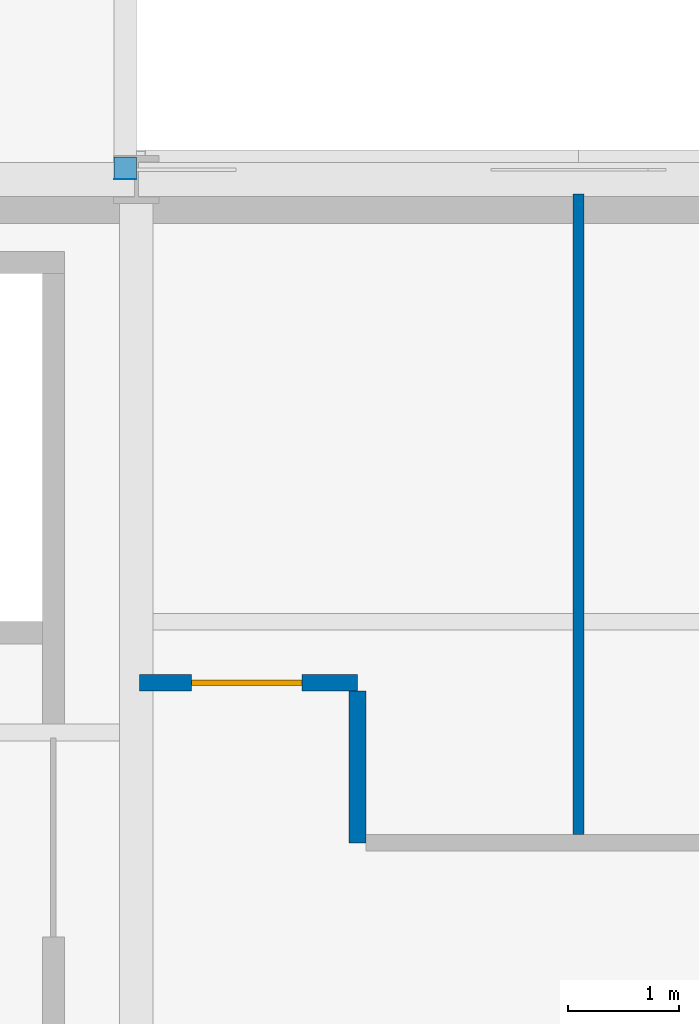
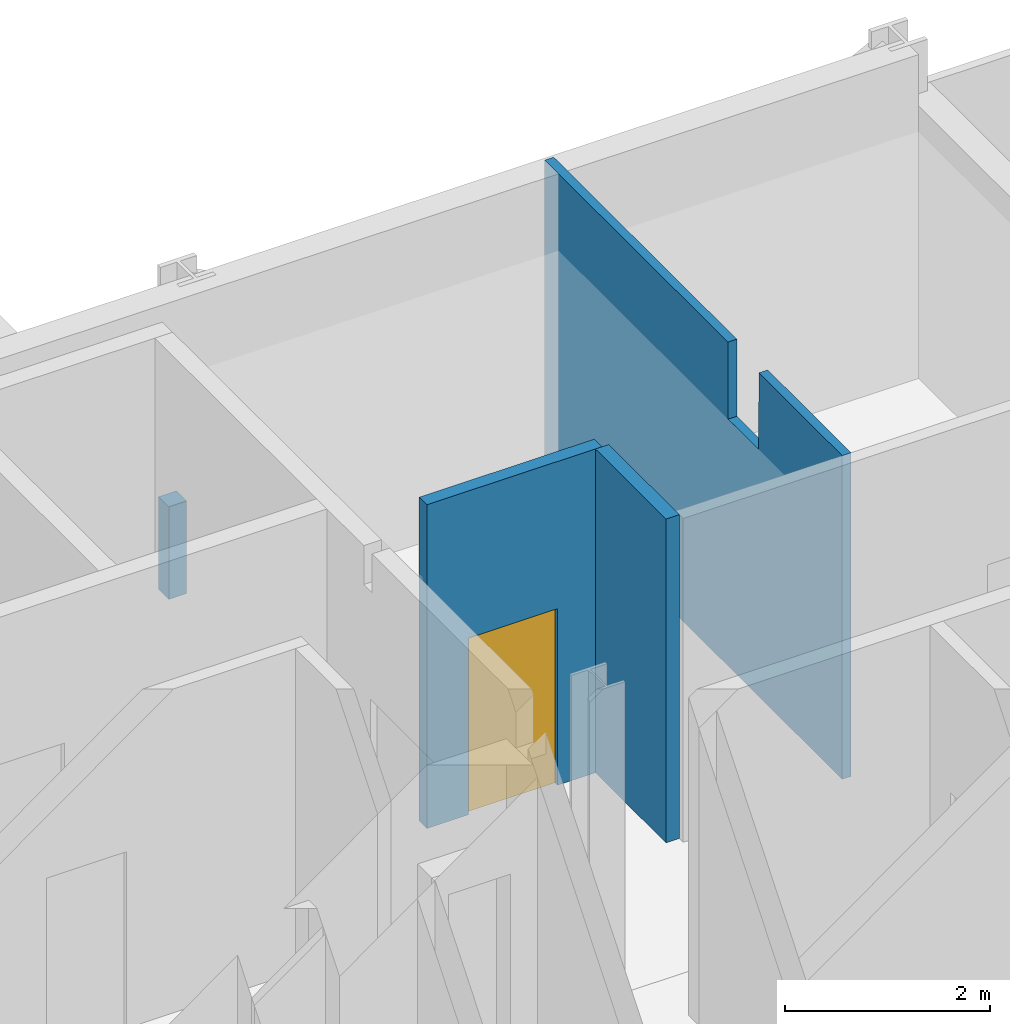
# One storey, part 5 of 9: 5 walls, 1 door, 1 opening.
"""IFC4 building model written with IfcOpenShell, lengths in metres."""

from ifc_helpers import new_model, si_unit, direction, frame, frame_2d, origin, place, context, subcontext, project, spatial, polyline, rectangle, outline, extrude, material, layer, layer_set, type_object, element, fill, save


model = new_model("IFC4")

# Units and contexts
model_context = context("Model", 3, precision=1e-05, world=origin(), true_north=direction((0.0, 1.0)))
body_context = subcontext(model_context, "Body", "Model", "MODEL_VIEW")
ifc_project = project(units=[si_unit("LENGTHUNIT", "METRE"), si_unit("AREAUNIT", "SQUARE_METRE"), si_unit("VOLUMEUNIT", "CUBIC_METRE"), si_unit("PLANEANGLEUNIT", "RADIAN"), si_unit("MASSUNIT", "GRAM", prefix="KILO")], contexts=[model_context])

# Site, building, storey
site_placement = place(None, origin())
site = spatial("IfcSite", under=ifc_project, at=site_placement, CompositionType="ELEMENT")
building_placement = place(site_placement, origin())
building = spatial("IfcBuilding", under=site, at=building_placement, Name="Immortelle Media Tower", CompositionType="ELEMENT")
storey_placement = place(building_placement, frame((0.0, 0.0, 189.0)))
storey = spatial("IfcBuildingStorey", under=building, at=storey_placement, Name="L39", CompositionType="ELEMENT", Elevation=189.0)

# Wall
ifc_material_1 = material(Name="Fire-rated gypsum board", Category="gypsum")
ifc_layer_1 = layer(ifc_material_1, 0.012451171875)
ifc_material_2 = material(Name="Steel ASTM A653 SS Gr 50 stud frame with mineral wool", Category="steel")
ifc_layer_2 = layer(ifc_material_2, 0.125)
ifc_layer_3 = layer(ifc_material_1, 0.012451171875)
ifc_layer_set_1 = layer_set([ifc_layer_1, ifc_layer_2, ifc_layer_3], Name="Steel ASTM A653 SS Gr 50 stud frame with mineral wool")
wall_type_1 = type_object("IfcWallType", Name="Corridor wall 150", PredefinedType="PARTITIONING", material=ifc_layer_set_1)
wall_1_placement = place(storey_placement, frame((26.0, 18.0, 0.0), z_axis=(0.0, 0.0, 1.0), x_axis=(0.0, 1.0, 0.0)))
element("IfcWall", 1, at=wall_1_placement, inside=storey, type_object=wall_type_1, Name="Partition L39-020", PredefinedType="PARTITIONING", context=body_context, shape_type="SweptSolid", body=[
    extrude(rectangle(XDim=1.375, YDim=0.14990234375, at=frame_2d((0.6875, 0.0))), origin(), (0.0, 0.0, 1.0), 3.85009765625),
])

# Wall, opening, door
wall_2_placement = place(storey_placement, frame((24.030029296875, 19.449951171875, 0.0), z_axis=(0.0, 0.0, 1.0), x_axis=(1.0, 0.0, 0.0)))
wall_2 = element("IfcWall", 2, at=wall_2_placement, inside=storey, type_object=wall_type_1, Name="Partition L39-023", PredefinedType="PARTITIONING", context=body_context, shape_type="SweptSolid", body=[
    extrude(rectangle(XDim=1.969970703125, YDim=0.14990234375, at=frame_2d((0.98486328125, 0.0))), origin(), (0.0, 0.0, 1.0), 3.85009765625),
])
opening_placement = place(wall_2_placement, frame((0.469970703125, 0.0, 0.0)))
opening = element("IfcOpeningElement", 3, at=opening_placement, cuts=wall_2, Name="Opening O1-F014", PredefinedType="OPENING", context=body_context, shape_type="SweptSolid", body=[
    extrude(rectangle(XDim=1.0, YDim=2.10009765625, at=frame_2d((0.5, 1.050048828125))), frame((0.0, 0.0849609375, 0.0), z_axis=(0.0, -1.0, 0.0), x_axis=(1.0, 0.0, 0.0)), (0.0, 0.0, 1.0), 0.169921875),
])
ifc_material_3 = material(Name="Timber veneered door leaf, galvanised steel frame ASTM A653", Category="steel")
door_type = type_object("IfcDoorType", Name="Room door 1000 x 2100", OperationType="NOTDEFINED", PredefinedType="DOOR", material=ifc_material_3)
door_placement = place(opening_placement, origin())
door = element("IfcDoor", 4, at=door_placement, inside=storey, type_object=door_type, Name="Door O1-F014", OperationType="SINGLE_SWING_LEFT", OverallHeight=2.10009765625, OverallWidth=1.0, PredefinedType="DOOR", context=body_context, shape_type="SweptSolid", body=[
    extrude(rectangle(XDim=1.0, YDim=2.10009765625, at=frame_2d((0.5, 1.050048828125))), frame((0.0, 0.02490234375, 0.0), z_axis=(0.0, -1.0, 0.0), x_axis=(1.0, 0.0, 0.0)), (0.0, 0.0, 1.0), 0.050048828125),
])
fill(opening, door)

# Walls
ifc_material_4 = material(Name="Pale aluminium coping panel", Category="aluminium")
ifc_layer_4 = layer(ifc_material_4, 0.030029296875)
ifc_layer_5 = layer(ifc_material_2, 0.139892578125)
ifc_layer_6 = layer(ifc_material_4, 0.030029296875)
ifc_layer_set_2 = layer_set([ifc_layer_4, ifc_layer_5, ifc_layer_6], Name="Steel ASTM A653 SS Gr 50 stud frame with mineral wool")
wall_type_2 = type_object("IfcWallType", Name="Parapet 200", PredefinedType="PARAPET", material=ifc_layer_set_2)
wall_3_placement = place(storey_placement, frame((24.0, 24.10205078125, 0.0), z_axis=(0.0, 0.0, 1.0), x_axis=(-1.0, 0.0, 0.0)))
element("IfcWall", 5, at=wall_3_placement, inside=storey, type_object=wall_type_2, Name="Roof parapet L39 NW", PredefinedType="PARAPET", context=body_context, shape_type="SweptSolid", body=[
    extrude(rectangle(XDim=0.201904296875, YDim=0.199951171875, at=frame_2d((0.10107421875, 0.0))), origin(), (0.0, 0.0, 1.0), 1.10009765625),
])
wall_4_placement = place(storey_placement, frame((23.89794921875, 24.001953125, 0.0), z_axis=(0.0, 0.0, 1.0), x_axis=(0.0, -1.0, 0.0)))
element("IfcWall", 6, at=wall_4_placement, inside=storey, type_object=wall_type_2, Name="Roof parapet L39 NW", PredefinedType="PARAPET", context=body_context, shape_type="SweptSolid", body=[
    extrude(rectangle(XDim=0.001953125, YDim=0.199951171875, at=frame_2d((0.0009765625, 0.0))), origin(), (0.0, 0.0, 1.0), 1.10009765625),
])
ifc_material_5 = material(Name="Gypsum board", Category="gypsum")
ifc_layer_7 = layer(ifc_material_5, 0.012451171875)
ifc_layer_8 = layer(ifc_material_2, 0.074951171875)
ifc_layer_9 = layer(ifc_material_5, 0.012451171875)
ifc_layer_set_3 = layer_set([ifc_layer_7, ifc_layer_8, ifc_layer_9], Name="Steel ASTM A653 SS Gr 50 stud frame with mineral wool")
wall_type_3 = type_object("IfcWallType", Name="Partition 100", PredefinedType="PARTITIONING", material=ifc_layer_set_3)
wall_5_placement = place(storey_placement, frame((28.0, 18.074951171875, 0.0), z_axis=(0.0, 0.0, 1.0), x_axis=(0.0, 1.0, 0.0)))
element("IfcWall", 7, at=wall_5_placement, inside=storey, type_object=wall_type_3, Name="Partition L39-021", PredefinedType="PARTITIONING", context=body_context, shape_type="SweptSolid", body=[
    extrude(outline(polyline([(0.0, 0.0), (5.795166015625, 0.0), (5.794921875, 3.85009765625), (2.22509765625, 3.85009765625), (2.222900390625, 2.93603515625), (1.626953125, 2.93603515625), (1.625, 3.85009765625), (0.0, 3.85009765625), (0.0, 0.0)])), frame((0.0, 0.050048828125, 0.0), z_axis=(0.0, -1.0, 0.0), x_axis=(1.0, 0.0, 0.0)), (0.0, 0.0, 1.0), 0.10009765625),
])

save(model, "model.ifc")
